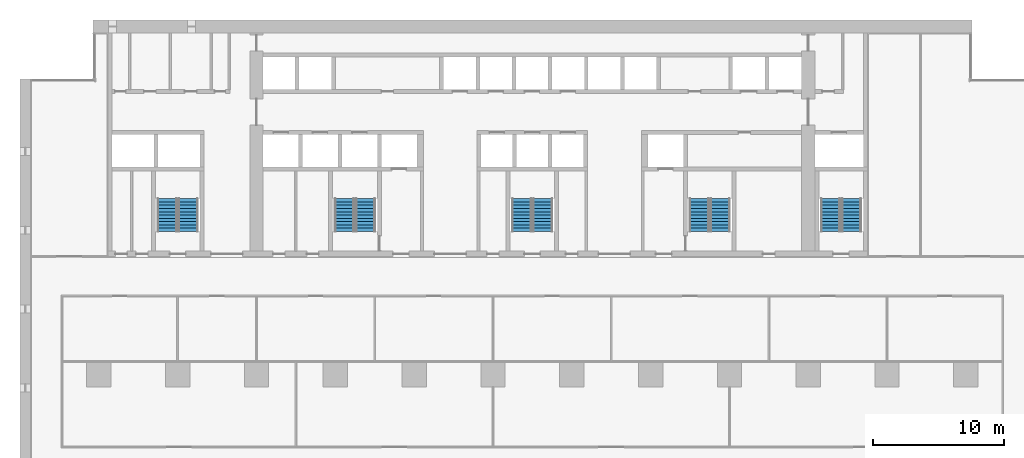
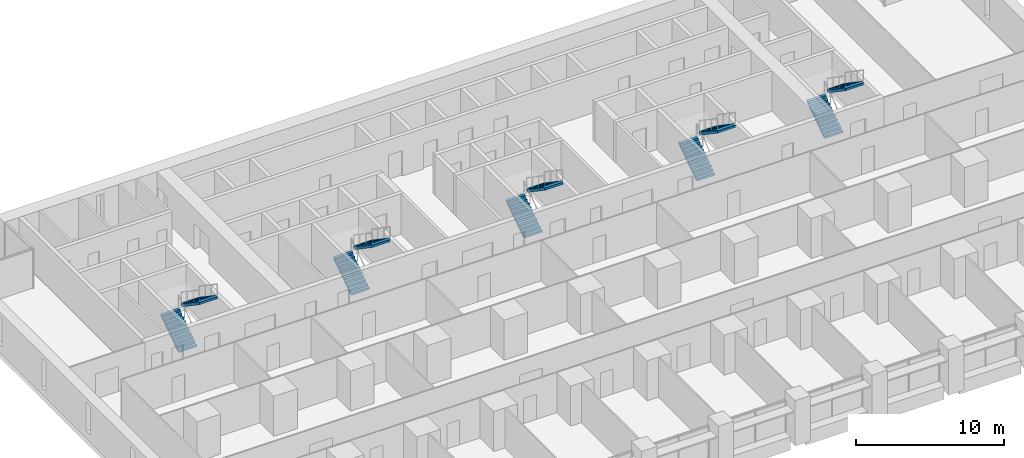
# One storey, part 14 of 18: 10 stair flights, 5 elements without a shape of their own.
"""IFC4 building model written with IfcOpenShell, lengths in metres."""

from ifc_helpers import new_model, si_unit, direction, frame, origin, place, context, subcontext, project, spatial, polyline, outline, extrude, material, type_object, element, aggregate, save


model = new_model("IFC4")

# Units and contexts
model_context = context("Model", 3, precision=1e-05, world=origin(), true_north=direction((0.0, 1.0)))
body_context = subcontext(model_context, "Body", "Model", "MODEL_VIEW")
ifc_project = project(units=[si_unit("LENGTHUNIT", "METRE"), si_unit("AREAUNIT", "SQUARE_METRE"), si_unit("VOLUMEUNIT", "CUBIC_METRE"), si_unit("PLANEANGLEUNIT", "RADIAN"), si_unit("MASSUNIT", "GRAM", prefix="KILO")], contexts=[model_context])

# Site, building, storey
site_placement = place(None, origin())
site = spatial("IfcSite", under=ifc_project, at=site_placement, CompositionType="ELEMENT")
building_placement = place(site_placement, origin())
building = spatial("IfcBuilding", under=site, at=building_placement, Name="Calvaro Tower", CompositionType="ELEMENT")
storey_placement = place(building_placement, frame((0.0, 0.0, 26.25)))
storey = spatial("IfcBuildingStorey", under=building, at=storey_placement, Name="L05", CompositionType="ELEMENT", Elevation=26.25)

# Stair, stair flights
ifc_material_1 = material(Name="Concrete C40/50", Category="concrete")
stair_type = type_object("IfcStairType", Name="Exit stair 1400 2 flights", PredefinedType="HALF_TURN_STAIR", material=ifc_material_1)
stair_1_placement = place(storey_placement, origin())
stair_1 = element("IfcStair", 1, at=stair_1_placement, inside=storey, type_object=stair_type, Name="Exit stair S1", PredefinedType="HALF_TURN_STAIR")
ifc_material_2 = material(Name="Concrete C40/50", Category="concrete")
stair_flight_type = type_object("IfcStairFlightType", Name="Stair flight", PredefinedType="STRAIGHT", material=ifc_material_2)
stair_flight_1_placement = place(storey_placement, frame((11.199951171875, 29.89990234375, 0.0), z_axis=(0.0, 0.0, 1.0), x_axis=(0.0, 1.0, 0.0)))
stair_flight_1 = element("IfcStairFlight", 2, at=stair_flight_1_placement, type_object=stair_flight_type, Name="Exit stair 1, flight 1", NumberOfRisers=11, NumberOfTreads=10, PredefinedType="STRAIGHT", RiserHeight=0.170454545, TreadLength=0.25, context=body_context, shape_type="SweptSolid", body=[
    extrude(outline(polyline([(0.0, 0.0), (0.0, 0.17041015625), (0.25, 0.17041015625), (0.25, 0.3408203125), (0.5, 0.3408203125), (0.5, 0.511474609375), (0.75, 0.511474609375), (0.75, 0.681884765625), (1.0, 0.681884765625), (1.0, 0.852294921875), (1.25, 0.852294921875), (1.25, 1.022705078125), (1.5, 1.022705078125), (1.5, 1.193115234375), (1.75, 1.193115234375), (1.75, 1.363525390625), (2.0, 1.363525390625), (2.0, 1.5341796875), (2.25, 1.5341796875), (2.25, 1.70458984375), (2.5, 1.70458984375), (2.5, 1.875), (2.5, 1.523193359375), (0.26611328125, 0.0), (0.0, 0.0)])), frame((0.0, 0.699951171875, 0.0), z_axis=(0.0, -1.0, 0.0), x_axis=(1.0, 0.0, 0.0)), (0.0, 0.0, 1.0), 1.39990234375),
])
stair_flight_2_placement = place(storey_placement, frame((12.800048828125, 32.39990234375, 1.875), z_axis=(0.0, 0.0, 1.0), x_axis=(0.0, -1.0, 0.0)))
stair_flight_2 = element("IfcStairFlight", 3, at=stair_flight_2_placement, type_object=stair_flight_type, Name="Exit stair 1, flight 2", NumberOfRisers=11, NumberOfTreads=10, PredefinedType="STRAIGHT", RiserHeight=0.170454545, TreadLength=0.25, context=body_context, shape_type="SweptSolid", body=[
    extrude(outline(polyline([(0.0, 0.0), (0.0, 0.17041015625), (0.25, 0.17041015625), (0.25, 0.3408203125), (0.5, 0.3408203125), (0.5, 0.511474609375), (0.75, 0.511474609375), (0.75, 0.681884765625), (1.0, 0.681884765625), (1.0, 0.852294921875), (1.25, 0.852294921875), (1.25, 1.022705078125), (1.5, 1.022705078125), (1.5, 1.193115234375), (1.75, 1.193115234375), (1.75, 1.363525390625), (2.0, 1.363525390625), (2.0, 1.5341796875), (2.25, 1.5341796875), (2.25, 1.70458984375), (2.5, 1.70458984375), (2.5, 1.875), (2.5, 1.523193359375), (0.26611328125, 0.0), (0.0, 0.0)])), frame((0.0, 0.699951171875, 0.0), z_axis=(0.0, -1.0, 0.0), x_axis=(1.0, 0.0, 0.0)), (0.0, 0.0, 1.0), 1.39990234375),
])
aggregate(stair_1, [stair_flight_1, stair_flight_2])

stair_2_placement = place(storey_placement, origin())
stair_2 = element("IfcStair", 4, at=stair_2_placement, inside=storey, type_object=stair_type, Name="Exit stair S2", PredefinedType="HALF_TURN_STAIR")
stair_flight_3_placement = place(storey_placement, frame((24.699951171875, 29.89990234375, 0.0), z_axis=(0.0, 0.0, 1.0), x_axis=(0.0, 1.0, 0.0)))
stair_flight_3 = element("IfcStairFlight", 5, at=stair_flight_3_placement, type_object=stair_flight_type, Name="Exit stair 2, flight 1", NumberOfRisers=11, NumberOfTreads=10, PredefinedType="STRAIGHT", RiserHeight=0.170454545, TreadLength=0.25, context=body_context, shape_type="SweptSolid", body=[
    extrude(outline(polyline([(0.0, 0.0), (0.0, 0.17041015625), (0.25, 0.17041015625), (0.25, 0.3408203125), (0.5, 0.3408203125), (0.5, 0.511474609375), (0.75, 0.511474609375), (0.75, 0.681884765625), (1.0, 0.681884765625), (1.0, 0.852294921875), (1.25, 0.852294921875), (1.25, 1.022705078125), (1.5, 1.022705078125), (1.5, 1.193115234375), (1.75, 1.193115234375), (1.75, 1.363525390625), (2.0, 1.363525390625), (2.0, 1.5341796875), (2.25, 1.5341796875), (2.25, 1.70458984375), (2.5, 1.70458984375), (2.5, 1.875), (2.5, 1.523193359375), (0.26611328125, 0.0), (0.0, 0.0)])), frame((0.0, 0.699951171875, 0.0), z_axis=(0.0, -1.0, 0.0), x_axis=(1.0, 0.0, 0.0)), (0.0, 0.0, 1.0), 1.39990234375),
])
stair_flight_4_placement = place(storey_placement, frame((26.300048828125, 32.39990234375, 1.875), z_axis=(0.0, 0.0, 1.0), x_axis=(0.0, -1.0, 0.0)))
stair_flight_4 = element("IfcStairFlight", 6, at=stair_flight_4_placement, type_object=stair_flight_type, Name="Exit stair 2, flight 2", NumberOfRisers=11, NumberOfTreads=10, PredefinedType="STRAIGHT", RiserHeight=0.170454545, TreadLength=0.25, context=body_context, shape_type="SweptSolid", body=[
    extrude(outline(polyline([(0.0, 0.0), (0.0, 0.17041015625), (0.25, 0.17041015625), (0.25, 0.3408203125), (0.5, 0.3408203125), (0.5, 0.511474609375), (0.75, 0.511474609375), (0.75, 0.681884765625), (1.0, 0.681884765625), (1.0, 0.852294921875), (1.25, 0.852294921875), (1.25, 1.022705078125), (1.5, 1.022705078125), (1.5, 1.193115234375), (1.75, 1.193115234375), (1.75, 1.363525390625), (2.0, 1.363525390625), (2.0, 1.5341796875), (2.25, 1.5341796875), (2.25, 1.70458984375), (2.5, 1.70458984375), (2.5, 1.875), (2.5, 1.523193359375), (0.26611328125, 0.0), (0.0, 0.0)])), frame((0.0, 0.699951171875, 0.0), z_axis=(0.0, -1.0, 0.0), x_axis=(1.0, 0.0, 0.0)), (0.0, 0.0, 1.0), 1.39990234375),
])
aggregate(stair_2, [stair_flight_3, stair_flight_4])

stair_3_placement = place(storey_placement, origin())
stair_3 = element("IfcStair", 7, at=stair_3_placement, inside=storey, type_object=stair_type, Name="Exit stair S3", PredefinedType="HALF_TURN_STAIR")
stair_flight_5_placement = place(storey_placement, frame((38.199951171875, 29.89990234375, 0.0), z_axis=(0.0, 0.0, 1.0), x_axis=(0.0, 1.0, 0.0)))
stair_flight_5 = element("IfcStairFlight", 8, at=stair_flight_5_placement, type_object=stair_flight_type, Name="Exit stair 3, flight 1", NumberOfRisers=11, NumberOfTreads=10, PredefinedType="STRAIGHT", RiserHeight=0.170454545, TreadLength=0.25, context=body_context, shape_type="SweptSolid", body=[
    extrude(outline(polyline([(0.0, 0.0), (0.0, 0.17041015625), (0.25, 0.17041015625), (0.25, 0.3408203125), (0.5, 0.3408203125), (0.5, 0.511474609375), (0.75, 0.511474609375), (0.75, 0.681884765625), (1.0, 0.681884765625), (1.0, 0.852294921875), (1.25, 0.852294921875), (1.25, 1.022705078125), (1.5, 1.022705078125), (1.5, 1.193115234375), (1.75, 1.193115234375), (1.75, 1.363525390625), (2.0, 1.363525390625), (2.0, 1.5341796875), (2.25, 1.5341796875), (2.25, 1.70458984375), (2.5, 1.70458984375), (2.5, 1.875), (2.5, 1.523193359375), (0.26611328125, 0.0), (0.0, 0.0)])), frame((0.0, 0.699951171875, 0.0), z_axis=(0.0, -1.0, 0.0), x_axis=(1.0, 0.0, 0.0)), (0.0, 0.0, 1.0), 1.39990234375),
])
stair_flight_6_placement = place(storey_placement, frame((39.800048828125, 32.39990234375, 1.875), z_axis=(0.0, 0.0, 1.0), x_axis=(0.0, -1.0, 0.0)))
stair_flight_6 = element("IfcStairFlight", 9, at=stair_flight_6_placement, type_object=stair_flight_type, Name="Exit stair 3, flight 2", NumberOfRisers=11, NumberOfTreads=10, PredefinedType="STRAIGHT", RiserHeight=0.170454545, TreadLength=0.25, context=body_context, shape_type="SweptSolid", body=[
    extrude(outline(polyline([(0.0, 0.0), (0.0, 0.17041015625), (0.25, 0.17041015625), (0.25, 0.3408203125), (0.5, 0.3408203125), (0.5, 0.511474609375), (0.75, 0.511474609375), (0.75, 0.681884765625), (1.0, 0.681884765625), (1.0, 0.852294921875), (1.25, 0.852294921875), (1.25, 1.022705078125), (1.5, 1.022705078125), (1.5, 1.193115234375), (1.75, 1.193115234375), (1.75, 1.363525390625), (2.0, 1.363525390625), (2.0, 1.5341796875), (2.25, 1.5341796875), (2.25, 1.70458984375), (2.5, 1.70458984375), (2.5, 1.875), (2.5, 1.523193359375), (0.26611328125, 0.0), (0.0, 0.0)])), frame((0.0, 0.699951171875, 0.0), z_axis=(0.0, -1.0, 0.0), x_axis=(1.0, 0.0, 0.0)), (0.0, 0.0, 1.0), 1.39990234375),
])
aggregate(stair_3, [stair_flight_5, stair_flight_6])

stair_4_placement = place(storey_placement, origin())
stair_4 = element("IfcStair", 10, at=stair_4_placement, inside=storey, type_object=stair_type, Name="Exit stair S4", PredefinedType="HALF_TURN_STAIR")
stair_flight_7_placement = place(storey_placement, frame((51.699951171875, 29.89990234375, 0.0), z_axis=(0.0, 0.0, 1.0), x_axis=(0.0, 1.0, 0.0)))
stair_flight_7 = element("IfcStairFlight", 11, at=stair_flight_7_placement, type_object=stair_flight_type, Name="Exit stair 4, flight 1", NumberOfRisers=11, NumberOfTreads=10, PredefinedType="STRAIGHT", RiserHeight=0.170454545, TreadLength=0.25, context=body_context, shape_type="SweptSolid", body=[
    extrude(outline(polyline([(0.0, 0.0), (0.0, 0.17041015625), (0.25, 0.17041015625), (0.25, 0.3408203125), (0.5, 0.3408203125), (0.5, 0.511474609375), (0.75, 0.511474609375), (0.75, 0.681884765625), (1.0, 0.681884765625), (1.0, 0.852294921875), (1.25, 0.852294921875), (1.25, 1.022705078125), (1.5, 1.022705078125), (1.5, 1.193115234375), (1.75, 1.193115234375), (1.75, 1.363525390625), (2.0, 1.363525390625), (2.0, 1.5341796875), (2.25, 1.5341796875), (2.25, 1.70458984375), (2.5, 1.70458984375), (2.5, 1.875), (2.5, 1.523193359375), (0.26611328125, 0.0), (0.0, 0.0)])), frame((0.0, 0.699951171875, 0.0), z_axis=(0.0, -1.0, 0.0), x_axis=(1.0, 0.0, 0.0)), (0.0, 0.0, 1.0), 1.39990234375),
])
stair_flight_8_placement = place(storey_placement, frame((53.300048828125, 32.39990234375, 1.875), z_axis=(0.0, 0.0, 1.0), x_axis=(0.0, -1.0, 0.0)))
stair_flight_8 = element("IfcStairFlight", 12, at=stair_flight_8_placement, type_object=stair_flight_type, Name="Exit stair 4, flight 2", NumberOfRisers=11, NumberOfTreads=10, PredefinedType="STRAIGHT", RiserHeight=0.170454545, TreadLength=0.25, context=body_context, shape_type="SweptSolid", body=[
    extrude(outline(polyline([(0.0, 0.0), (0.0, 0.17041015625), (0.25, 0.17041015625), (0.25, 0.3408203125), (0.5, 0.3408203125), (0.5, 0.511474609375), (0.75, 0.511474609375), (0.75, 0.681884765625), (1.0, 0.681884765625), (1.0, 0.852294921875), (1.25, 0.852294921875), (1.25, 1.022705078125), (1.5, 1.022705078125), (1.5, 1.193115234375), (1.75, 1.193115234375), (1.75, 1.363525390625), (2.0, 1.363525390625), (2.0, 1.5341796875), (2.25, 1.5341796875), (2.25, 1.70458984375), (2.5, 1.70458984375), (2.5, 1.875), (2.5, 1.523193359375), (0.26611328125, 0.0), (0.0, 0.0)])), frame((0.0, 0.699951171875, 0.0), z_axis=(0.0, -1.0, 0.0), x_axis=(1.0, 0.0, 0.0)), (0.0, 0.0, 1.0), 1.39990234375),
])
aggregate(stair_4, [stair_flight_7, stair_flight_8])

stair_5_placement = place(storey_placement, origin())
stair_5 = element("IfcStair", 13, at=stair_5_placement, inside=storey, type_object=stair_type, Name="Exit stair S5", PredefinedType="HALF_TURN_STAIR")
stair_flight_9_placement = place(storey_placement, frame((61.699951171875, 29.89990234375, 0.0), z_axis=(0.0, 0.0, 1.0), x_axis=(0.0, 1.0, 0.0)))
stair_flight_9 = element("IfcStairFlight", 14, at=stair_flight_9_placement, type_object=stair_flight_type, Name="Exit stair 5, flight 1", NumberOfRisers=11, NumberOfTreads=10, PredefinedType="STRAIGHT", RiserHeight=0.170454545, TreadLength=0.25, context=body_context, shape_type="SweptSolid", body=[
    extrude(outline(polyline([(0.0, 0.0), (0.0, 0.17041015625), (0.25, 0.17041015625), (0.25, 0.3408203125), (0.5, 0.3408203125), (0.5, 0.511474609375), (0.75, 0.511474609375), (0.75, 0.681884765625), (1.0, 0.681884765625), (1.0, 0.852294921875), (1.25, 0.852294921875), (1.25, 1.022705078125), (1.5, 1.022705078125), (1.5, 1.193115234375), (1.75, 1.193115234375), (1.75, 1.363525390625), (2.0, 1.363525390625), (2.0, 1.5341796875), (2.25, 1.5341796875), (2.25, 1.70458984375), (2.5, 1.70458984375), (2.5, 1.875), (2.5, 1.523193359375), (0.26611328125, 0.0), (0.0, 0.0)])), frame((0.0, 0.699951171875, 0.0), z_axis=(0.0, -1.0, 0.0), x_axis=(1.0, 0.0, 0.0)), (0.0, 0.0, 1.0), 1.39990234375),
])
stair_flight_10_placement = place(storey_placement, frame((63.300048828125, 32.39990234375, 1.875), z_axis=(0.0, 0.0, 1.0), x_axis=(0.0, -1.0, 0.0)))
stair_flight_10 = element("IfcStairFlight", 15, at=stair_flight_10_placement, type_object=stair_flight_type, Name="Exit stair 5, flight 2", NumberOfRisers=11, NumberOfTreads=10, PredefinedType="STRAIGHT", RiserHeight=0.170454545, TreadLength=0.25, context=body_context, shape_type="SweptSolid", body=[
    extrude(outline(polyline([(0.0, 0.0), (0.0, 0.17041015625), (0.25, 0.17041015625), (0.25, 0.3408203125), (0.5, 0.3408203125), (0.5, 0.511474609375), (0.75, 0.511474609375), (0.75, 0.681884765625), (1.0, 0.681884765625), (1.0, 0.852294921875), (1.25, 0.852294921875), (1.25, 1.022705078125), (1.5, 1.022705078125), (1.5, 1.193115234375), (1.75, 1.193115234375), (1.75, 1.363525390625), (2.0, 1.363525390625), (2.0, 1.5341796875), (2.25, 1.5341796875), (2.25, 1.70458984375), (2.5, 1.70458984375), (2.5, 1.875), (2.5, 1.523193359375), (0.26611328125, 0.0), (0.0, 0.0)])), frame((0.0, 0.699951171875, 0.0), z_axis=(0.0, -1.0, 0.0), x_axis=(1.0, 0.0, 0.0)), (0.0, 0.0, 1.0), 1.39990234375),
])
aggregate(stair_5, [stair_flight_9, stair_flight_10])

save(model, "model.ifc")
